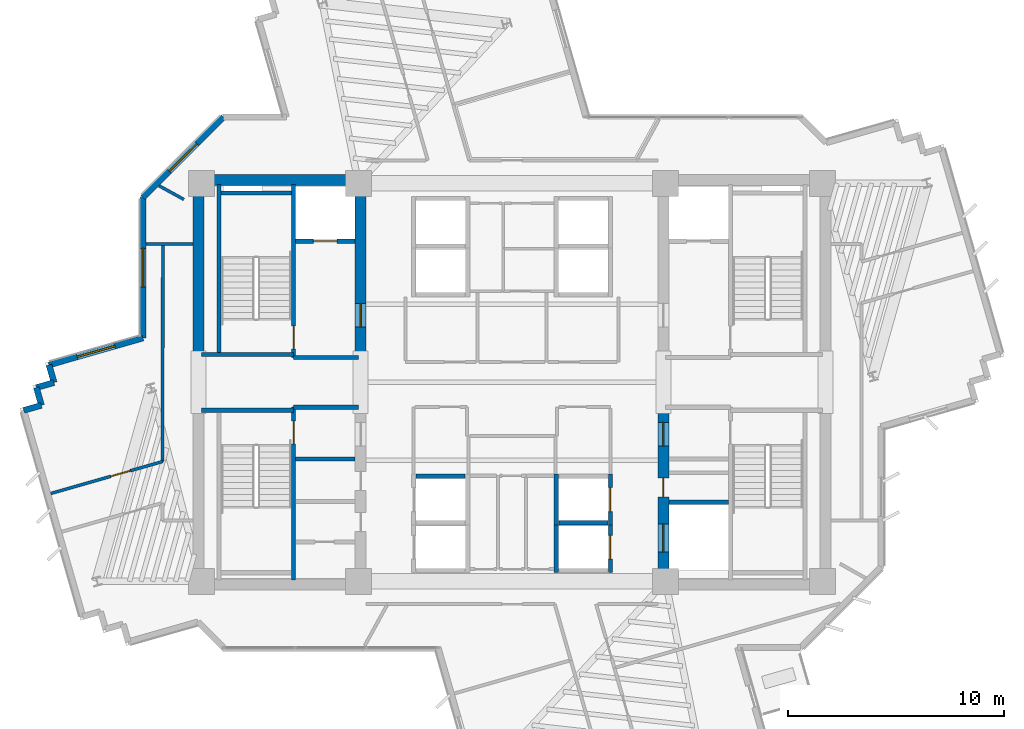
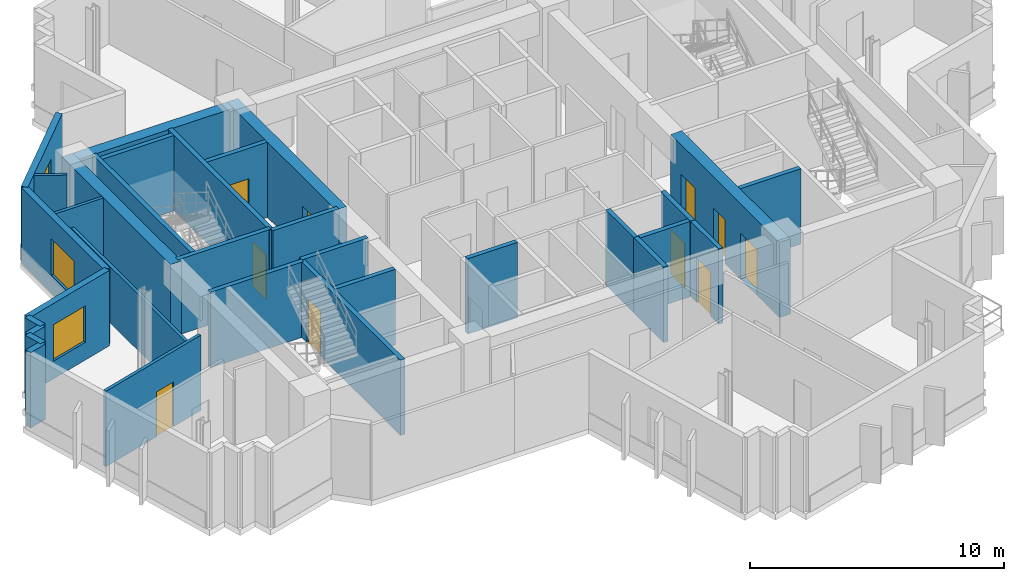
# One storey, part 6 of 14: 32 walls, 10 doors, 3 windows, 13 openings.
"""IFC4 building model written with IfcOpenShell, lengths in metres."""

from ifc_helpers import new_model, si_unit, direction, frame, frame_2d, origin, place, context, subcontext, project, spatial, rectangle, extrude, source, transform, mapped, material, layer, layer_set, type_object, element, fill, save


model = new_model("IFC4")

# Units and contexts
model_context = context("Model", 3, precision=1e-05, world=origin(), true_north=direction((0.0, 1.0)))
body_context = subcontext(model_context, "Body", "Model", "MODEL_VIEW")
ifc_project = project(units=[si_unit("LENGTHUNIT", "METRE"), si_unit("AREAUNIT", "SQUARE_METRE"), si_unit("VOLUMEUNIT", "CUBIC_METRE"), si_unit("PLANEANGLEUNIT", "RADIAN"), si_unit("MASSUNIT", "GRAM", prefix="KILO")], contexts=[model_context])

# Site, building, storey
site_placement = place(None, origin())
site = spatial("IfcSite", under=ifc_project, at=site_placement, CompositionType="ELEMENT")
building_placement = place(site_placement, origin())
building = spatial("IfcBuilding", under=site, at=building_placement, Name="Zahravan Cultural Tower", CompositionType="ELEMENT")
storey_placement = place(building_placement, frame((0.0, 0.0, 205.800048828125)))
storey = spatial("IfcBuildingStorey", under=building, at=storey_placement, Name="L48", CompositionType="ELEMENT", Elevation=205.800048828125)

# Wall, opening, door
ifc_material_1 = material(Name="Concrete C60/75", Category="concrete")
ifc_layer_1 = layer(ifc_material_1, 0.5)
ifc_layer_set_1 = layer_set([ifc_layer_1], Name="Concrete C60/75")
wall_type_1 = type_object("IfcWallType", Name="CW-SHEAR-500-C60", PredefinedType="SHEAR", material=ifc_layer_set_1)
wall_1_placement = place(storey_placement, frame((29.0, 28.050048828125, 0.0), z_axis=(0.0, 0.0, 1.0), x_axis=(0.0, 1.0, 0.0)))
wall_1 = element("IfcWall", 1, at=wall_1_placement, inside=storey, type_object=wall_type_1, Name="L48 Core Shear Wall CW-W-EN-L48", PredefinedType="SHEAR", context=body_context, shape_type="SweptSolid", body=[
    extrude(rectangle(XDim=8.550048828125, YDim=0.5, at=frame_2d((4.27490234375, 0.0))), origin(), (0.0, 0.0, 1.0), 3.619873046875),
])
opening_1_placement = place(wall_1_placement, frame((1.5, 0.0, 0.0)))
opening_1 = element("IfcOpeningElement", 2, at=opening_1_placement, cuts=wall_1, Name="Opening D-L48-05", PredefinedType="OPENING", context=body_context, shape_type="SweptSolid", body=[
    extrude(rectangle(XDim=1.10009765625, YDim=2.199951171875, at=frame_2d((0.550048828125, 1.10009765625))), frame((0.0, 0.260009765625, 0.0), z_axis=(0.0, -1.0, 0.0), x_axis=(1.0, 0.0, 0.0)), (0.0, 0.0, 1.0), 0.52001953125),
])
ifc_material_2 = material(Name="Steel ASTM A572 Grade 50", Category="steel")
door_type_1 = type_object("IfcDoorType", Name="DR-LOBBY-1100", OperationType="NOTDEFINED", PredefinedType="DOOR", material=ifc_material_2)
shared_shape_1 = source(origin(), body_context, "Body", "SweptSolid", [
    extrude(rectangle(XDim=1.10009765625, YDim=2.199951171875, at=frame_2d((0.550048828125, 1.10009765625))), frame((0.0, 0.02490234375, 0.0), z_axis=(0.0, -1.0, 0.0), x_axis=(1.0, 0.0, 0.0)), (0.0, 0.0, 1.0), 0.050048828125),
])
door_1_placement = place(opening_1_placement, origin())
door_1 = element("IfcDoor", 3, at=door_1_placement, inside=storey, type_object=door_type_1, Name="L48 Door D-L48-05", OperationType="SINGLE_SWING_RIGHT", OverallHeight=2.199951171875, OverallWidth=1.10009765625, PredefinedType="DOOR", context=body_context, shape_type="MappedRepresentation", body=[
    mapped(shared_shape_1, transform((0.0, 0.0, 0.0), x_axis=(1.0, 0.0, 0.0), y_axis=(0.0, 1.0, 0.0), z_axis=(0.0, 0.0, 1.0), scale=1.0)),
])
fill(opening_1, door_1)

# Wall, openings, doors
wall_2_placement = place(storey_placement, frame((43.0, 17.39990234375, 0.0), z_axis=(0.0, 0.0, 1.0), x_axis=(0.0, 1.0, 0.0)))
wall_2 = element("IfcWall", 4, at=wall_2_placement, inside=storey, type_object=wall_type_1, Name="L48 Core Shear Wall CW-E-WS-L48", PredefinedType="SHEAR", context=body_context, shape_type="SweptSolid", body=[
    extrude(rectangle(XDim=8.550048828125, YDim=0.5, at=frame_2d((4.27490234375, 0.0))), origin(), (0.0, 0.0, 1.0), 3.619873046875),
])
opening_2_placement = place(wall_2_placement, frame((6.64990234375, 0.0, 0.0)))
opening_2 = element("IfcOpeningElement", 5, at=opening_2_placement, cuts=wall_2, Name="Opening D-L48-08", PredefinedType="OPENING", context=body_context, shape_type="SweptSolid", body=[
    extrude(rectangle(XDim=1.10009765625, YDim=2.199951171875, at=frame_2d((0.550048828125, 1.10009765625))), frame((0.0, 0.260009765625, 0.0), z_axis=(0.0, -1.0, 0.0), x_axis=(1.0, 0.0, 0.0)), (0.0, 0.0, 1.0), 0.52001953125),
])
opening_3_placement = place(wall_2_placement, frame((1.75, 0.0, 0.0)))
opening_3 = element("IfcOpeningElement", 6, at=opening_3_placement, cuts=wall_2, Name="Opening LD-L48-03", PredefinedType="OPENING", context=body_context, shape_type="SweptSolid", body=[
    extrude(rectangle(XDim=1.300048828125, YDim=2.199951171875, at=frame_2d((0.64990234375, 1.10009765625))), frame((0.0, 0.260009765625, 0.0), z_axis=(0.0, -1.0, 0.0), x_axis=(1.0, 0.0, 0.0)), (0.0, 0.0, 1.0), 0.52001953125),
])
opening_4_placement = place(wall_2_placement, frame((4.300048828125, 0.0, 0.0)))
opening_4 = element("IfcOpeningElement", 7, at=opening_4_placement, cuts=wall_2, Name="Opening D-L48-12", PredefinedType="OPENING", context=body_context, shape_type="SweptSolid", body=[
    extrude(rectangle(XDim=0.8798828125, YDim=2.10009765625, at=frame_2d((0.43994140625, 1.050048828125))), frame((0.0, 0.260009765625, 0.0), z_axis=(0.0, -1.0, 0.0), x_axis=(1.0, 0.0, 0.0)), (0.0, 0.0, 1.0), 0.52001953125),
])
door_2_placement = place(opening_2_placement, origin())
door_2 = element("IfcDoor", 8, at=door_2_placement, inside=storey, type_object=door_type_1, Name="L48 Door D-L48-08", OperationType="SINGLE_SWING_LEFT", OverallHeight=2.199951171875, OverallWidth=1.10009765625, PredefinedType="DOOR", context=body_context, shape_type="MappedRepresentation", body=[
    mapped(shared_shape_1, transform((0.0, 0.0, 0.0), x_axis=(1.0, 0.0, 0.0), y_axis=(0.0, 1.0, 0.0), z_axis=(0.0, 0.0, 1.0), scale=1.0)),
])
fill(opening_2, door_2)
door_type_2 = type_object("IfcDoorType", Name="DR-LIFT-1300", OperationType="DOUBLE_DOOR_SLIDING", PredefinedType="DOOR", material=ifc_material_2)
shared_shape_2 = source(origin(), body_context, "Body", "SweptSolid", [
    extrude(rectangle(XDim=1.300048828125, YDim=2.199951171875, at=frame_2d((0.64990234375, 1.10009765625))), frame((0.0, 0.02490234375, 0.0), z_axis=(0.0, -1.0, 0.0), x_axis=(1.0, 0.0, 0.0)), (0.0, 0.0, 1.0), 0.050048828125),
])
door_3_placement = place(opening_3_placement, origin())
door_3 = element("IfcDoor", 9, at=door_3_placement, inside=storey, type_object=door_type_2, Name="L48 Door LD-L48-03", OperationType="DOUBLE_DOOR_SLIDING", OverallHeight=2.199951171875, OverallWidth=1.300048828125, PredefinedType="DOOR", context=body_context, shape_type="MappedRepresentation", body=[
    mapped(shared_shape_2, transform((0.0, 0.0, 0.0), x_axis=(1.0, 0.0, 0.0), y_axis=(0.0, 1.0, 0.0), z_axis=(0.0, 0.0, 1.0), scale=1.0)),
])
fill(opening_3, door_3)
door_type_3 = type_object("IfcDoorType", Name="DR-SVC-880", OperationType="NOTDEFINED", PredefinedType="DOOR", material=ifc_material_2)
shared_shape_3 = source(origin(), body_context, "Body", "SweptSolid", [
    extrude(rectangle(XDim=0.8798828125, YDim=2.10009765625, at=frame_2d((0.43994140625, 1.050048828125))), frame((0.0, 0.02490234375, 0.0), z_axis=(0.0, -1.0, 0.0), x_axis=(1.0, 0.0, 0.0)), (0.0, 0.0, 1.0), 0.050048828125),
])
door_4_placement = place(opening_4_placement, origin())
door_4 = element("IfcDoor", 10, at=door_4_placement, inside=storey, type_object=door_type_3, Name="L48 Door D-L48-12", OperationType="SINGLE_SWING_LEFT", OverallHeight=2.10009765625, OverallWidth=0.8798828125, PredefinedType="DOOR", context=body_context, shape_type="MappedRepresentation", body=[
    mapped(shared_shape_3, transform((0.0, 0.0, 0.0), x_axis=(1.0, 0.0, 0.0), y_axis=(0.0, 1.0, 0.0), z_axis=(0.0, 0.0, 1.0), scale=1.0)),
])
fill(opening_4, door_4)

# Wall, opening, window
ifc_material_3 = material(Name="Precast concrete C40/50", Category="concrete")
ifc_layer_2 = layer(ifc_material_3, 0.280029296875)
ifc_layer_set_2 = layer_set([ifc_layer_2], Name="Precast concrete C40/50")
wall_type_2 = type_object("IfcWallType", Name="EW-TC-280", PredefinedType="SOLIDWALL", material=ifc_layer_set_2)
wall_3_placement = place(storey_placement, frame((14.593505859375, 27.804931640625, 0.0), z_axis=(0.0, 0.0, 1.0), x_axis=(0.961446468673, 0.274992159663, 0.0)))
wall_3 = element("IfcWall", 11, at=wall_3_placement, inside=storey, type_object=wall_type_2, Name="L48 Exterior Masonry Frame Wall 37", PredefinedType="SOLIDWALL", context=body_context, shape_type="SweptSolid", body=[
    extrude(rectangle(XDim=4.520751953125, YDim=0.280029296875, at=frame_2d((2.26025390625, 0.0))), origin(), (0.0, 0.0, 1.0), 3.619873046875),
])
opening_5_placement = place(wall_3_placement, frame((1.360107421875, 0.0, 0.85009765625)))
opening_5 = element("IfcOpeningElement", 12, at=opening_5_placement, cuts=wall_3, Name="Opening WN-02", PredefinedType="OPENING", context=body_context, shape_type="SweptSolid", body=[
    extrude(rectangle(XDim=1.800048828125, YDim=1.75, at=frame_2d((0.89990234375, 0.875))), frame((0.0, 0.14990234375, 0.0), z_axis=(0.0, -1.0, 0.0), x_axis=(1.0, 0.0, 0.0)), (0.0, 0.0, 1.0), 0.300048828125),
])
ifc_material_4 = material(Name="Low-E solar-control double glazing", Category="glass")
window_type = type_object("IfcWindowType", Name="WN-REC-1800X1750", PartitioningType="DOUBLE_PANEL_VERTICAL", PredefinedType="WINDOW", material=ifc_material_4)
shared_shape_4 = source(origin(), body_context, "Body", "SweptSolid", [
    extrude(rectangle(XDim=1.800048828125, YDim=1.75, at=frame_2d((0.89990234375, 0.875))), frame((0.0, 0.030029296875, 0.0), z_axis=(0.0, -1.0, 0.0), x_axis=(1.0, 0.0, 0.0)), (0.0, 0.0, 1.0), 0.06005859375),
])
window_1_placement = place(opening_5_placement, origin())
window_1 = element("IfcWindow", 13, at=window_1_placement, inside=storey, type_object=window_type, Name="L48 Recessed Solar Window 04", OverallHeight=1.75, OverallWidth=1.800048828125, PartitioningType="DOUBLE_PANEL_VERTICAL", PredefinedType="WINDOW", context=body_context, shape_type="MappedRepresentation", body=[
    mapped(shared_shape_4, transform((0.0, 0.0, 0.0), x_axis=(1.0, 0.0, 0.0), y_axis=(0.0, 1.0, 0.0), z_axis=(0.0, 0.0, 1.0), scale=1.0)),
])
fill(opening_5, window_1)

wall_4_placement = place(storey_placement, frame((18.93994140625, 29.048095703125, 0.0), z_axis=(0.0, 0.0, 1.0), x_axis=(0.0, 1.0, 0.0)))
wall_4 = element("IfcWall", 14, at=wall_4_placement, inside=storey, type_object=wall_type_2, Name="L48 Exterior Masonry Frame Wall 38", PredefinedType="SOLIDWALL", context=body_context, shape_type="SweptSolid", body=[
    extrude(rectangle(XDim=6.493896484375, YDim=0.280029296875, at=frame_2d((3.2470703125, 0.0))), origin(), (0.0, 0.0, 1.0), 3.619873046875),
])
opening_6_placement = place(wall_4_placement, frame((2.346923828125, 0.0, 0.85009765625)))
opening_6 = element("IfcOpeningElement", 15, at=opening_6_placement, cuts=wall_4, Name="Opening WN-02", PredefinedType="OPENING", context=body_context, shape_type="SweptSolid", body=[
    extrude(rectangle(XDim=1.800048828125, YDim=1.75, at=frame_2d((0.89990234375, 0.875))), frame((0.0, 0.14990234375, 0.0), z_axis=(0.0, -1.0, 0.0), x_axis=(1.0, 0.0, 0.0)), (0.0, 0.0, 1.0), 0.300048828125),
])
window_2_placement = place(opening_6_placement, origin())
window_2 = element("IfcWindow", 16, at=window_2_placement, inside=storey, type_object=window_type, Name="L48 Recessed Solar Window 05", OverallHeight=1.75, OverallWidth=1.800048828125, PartitioningType="DOUBLE_PANEL_VERTICAL", PredefinedType="WINDOW", context=body_context, shape_type="MappedRepresentation", body=[
    mapped(shared_shape_4, transform((0.0, 0.0, 0.0), x_axis=(1.0, 0.0, 0.0), y_axis=(0.0, 1.0, 0.0), z_axis=(0.0, 0.0, 1.0), scale=1.0)),
])
fill(opening_6, window_2)

wall_5_placement = place(storey_placement, frame((18.93994140625, 35.5419921875, 0.0), z_axis=(0.0, 0.0, 1.0), x_axis=(0.707106781187, 0.707106781187, 0.0)))
wall_5 = element("IfcWall", 17, at=wall_5_placement, inside=storey, type_object=wall_type_2, Name="L48 Exterior Masonry Frame Wall 39", PredefinedType="SOLIDWALL", context=body_context, shape_type="SweptSolid", body=[
    extrude(rectangle(XDim=5.258056640625, YDim=0.280029296875, at=frame_2d((2.62890625, 0.0))), origin(), (0.0, 0.0, 1.0), 3.619873046875),
])
opening_7_placement = place(wall_5_placement, frame((1.72900390625, 0.0, 0.85009765625)))
opening_7 = element("IfcOpeningElement", 18, at=opening_7_placement, cuts=wall_5, Name="Opening WN-02", PredefinedType="OPENING", context=body_context, shape_type="SweptSolid", body=[
    extrude(rectangle(XDim=1.800048828125, YDim=1.75, at=frame_2d((0.89990234375, 0.875))), frame((0.0, 0.14990234375, 0.0), z_axis=(0.0, -1.0, 0.0), x_axis=(1.0, 0.0, 0.0)), (0.0, 0.0, 1.0), 0.300048828125),
])
window_3_placement = place(opening_7_placement, origin())
window_3 = element("IfcWindow", 19, at=window_3_placement, inside=storey, type_object=window_type, Name="L48 Recessed Solar Window 06", OverallHeight=1.75, OverallWidth=1.800048828125, PartitioningType="DOUBLE_PANEL_VERTICAL", PredefinedType="WINDOW", context=body_context, shape_type="MappedRepresentation", body=[
    mapped(shared_shape_4, transform((0.0, 0.0, 0.0), x_axis=(1.0, 0.0, 0.0), y_axis=(0.0, 1.0, 0.0), z_axis=(0.0, 0.0, 1.0), scale=1.0)),
])
fill(opening_7, window_3)

# Wall, opening, door
ifc_material_5 = material(Name="Gypsum plasterboard partition")
ifc_layer_3 = layer(ifc_material_5, 0.139892578125)
ifc_layer_set_3 = layer_set([ifc_layer_3], Name="Gypsum plasterboard partition")
wall_type_3 = type_object("IfcWallType", Name="W-PART-140", PredefinedType="PARTITIONING", material=ifc_layer_set_3)
wall_6_placement = place(storey_placement, frame((19.85009765625, 23.338134765625, 0.0), z_axis=(0.0, 0.0, 1.0), x_axis=(-0.961455430103, -0.274960826164, 0.0)))
wall_6 = element("IfcWall", 20, at=wall_6_placement, inside=storey, type_object=wall_type_3, Name="L48 Interior Wall 105", PredefinedType="PARTITIONING", context=body_context, shape_type="SweptSolid", body=[
    extrude(rectangle(XDim=5.380859375, YDim=0.139892578125, at=frame_2d((2.6904296875, 0.0))), origin(), (0.0, 0.0, 1.0), 3.619873046875),
])
opening_8_placement = place(wall_6_placement, frame((1.55078125, 0.0, 0.0)))
opening_8 = element("IfcOpeningElement", 21, at=opening_8_placement, cuts=wall_6, Name="Opening D-L48-28", PredefinedType="OPENING", context=body_context, shape_type="SweptSolid", body=[
    extrude(rectangle(XDim=0.949951171875, YDim=2.14990234375, at=frame_2d((0.47509765625, 1.074951171875))), frame((0.0, 0.079833984375, 0.0), z_axis=(0.0, -1.0, 0.0), x_axis=(1.0, 0.0, 0.0)), (0.0, 0.0, 1.0), 0.159912109375),
])
ifc_material_6 = material(Name="Anodised bronze-aluminium mullion", Category="aluminium")
door_type_4 = type_object("IfcDoorType", Name="DR-ROOM-950", OperationType="NOTDEFINED", PredefinedType="DOOR", material=ifc_material_6)
shared_shape_5 = source(origin(), body_context, "Body", "SweptSolid", [
    extrude(rectangle(XDim=0.949951171875, YDim=2.14990234375, at=frame_2d((0.47509765625, 1.074951171875))), frame((0.0, 0.02490234375, 0.0), z_axis=(0.0, -1.0, 0.0), x_axis=(1.0, 0.0, 0.0)), (0.0, 0.0, 1.0), 0.050048828125),
])
door_5_placement = place(opening_8_placement, origin())
door_5 = element("IfcDoor", 22, at=door_5_placement, inside=storey, type_object=door_type_4, Name="L48 Door D-L48-28", OperationType="SINGLE_SWING_LEFT", OverallHeight=2.14990234375, OverallWidth=0.949951171875, PredefinedType="DOOR", context=body_context, shape_type="MappedRepresentation", body=[
    mapped(shared_shape_5, transform((0.0, 0.0, 0.0), x_axis=(1.0, 0.0, 0.0), y_axis=(0.0, 1.0, 0.0), z_axis=(0.0, 0.0, 1.0), scale=1.0)),
])
fill(opening_8, door_5)

ifc_material_7 = material(Name="Concrete C45/55", Category="concrete")
ifc_layer_4 = layer(ifc_material_7, 0.199951171875)
ifc_layer_set_4 = layer_set([ifc_layer_4], Name="Concrete C45/55")
wall_type_4 = type_object("IfcWallType", Name="W-SHAFT-200", PredefinedType="SOLIDWALL", material=ifc_layer_set_4)
wall_7_placement = place(storey_placement, frame((25.89990234375, 17.85009765625, 0.0), z_axis=(0.0, 0.0, 1.0), x_axis=(0.0, 1.0, 0.0)))
wall_7 = element("IfcWall", 23, at=wall_7_placement, inside=storey, type_object=wall_type_4, Name="L48 Interior Wall 005", PredefinedType="SOLIDWALL", context=body_context, shape_type="SweptSolid", body=[
    extrude(rectangle(XDim=8.0, YDim=0.199951171875, at=frame_2d((4.0, 0.0))), origin(), (0.0, 0.0, 1.0), 3.619873046875),
])
opening_9_placement = place(wall_7_placement, frame((6.300048828125, 0.0, 0.0)))
opening_9 = element("IfcOpeningElement", 24, at=opening_9_placement, cuts=wall_7, Name="Opening D-L48-04", PredefinedType="OPENING", context=body_context, shape_type="SweptSolid", body=[
    extrude(rectangle(XDim=1.050048828125, YDim=2.14990234375, at=frame_2d((0.52490234375, 1.074951171875))), frame((0.0, 0.10986328125, 0.0), z_axis=(0.0, -1.0, 0.0), x_axis=(1.0, 0.0, 0.0)), (0.0, 0.0, 1.0), 0.219970703125),
])
door_type_5 = type_object("IfcDoorType", Name="DR-STAIR-1050", OperationType="NOTDEFINED", PredefinedType="DOOR", material=ifc_material_2)
shared_shape_6 = source(origin(), body_context, "Body", "SweptSolid", [
    extrude(rectangle(XDim=1.050048828125, YDim=2.14990234375, at=frame_2d((0.52490234375, 1.074951171875))), frame((0.0, 0.02490234375, 0.0), z_axis=(0.0, -1.0, 0.0), x_axis=(1.0, 0.0, 0.0)), (0.0, 0.0, 1.0), 0.050048828125),
])
door_6_placement = place(opening_9_placement, origin())
door_6 = element("IfcDoor", 25, at=door_6_placement, inside=storey, type_object=door_type_5, Name="L48 Door D-L48-04", OperationType="SINGLE_SWING_LEFT", OverallHeight=2.14990234375, OverallWidth=1.050048828125, PredefinedType="DOOR", context=body_context, shape_type="MappedRepresentation", body=[
    mapped(shared_shape_6, transform((0.0, 0.0, 0.0), x_axis=(1.0, 0.0, 0.0), y_axis=(0.0, 1.0, 0.0), z_axis=(0.0, 0.0, 1.0), scale=1.0)),
])
fill(opening_9, door_6)

wall_8_placement = place(storey_placement, frame((25.89990234375, 28.14990234375, 0.0), z_axis=(0.0, 0.0, 1.0), x_axis=(0.0, 1.0, 0.0)))
wall_8 = element("IfcWall", 26, at=wall_8_placement, inside=storey, type_object=wall_type_4, Name="L48 Interior Wall 006", PredefinedType="SOLIDWALL", context=body_context, shape_type="SweptSolid", body=[
    extrude(rectangle(XDim=8.0, YDim=0.199951171875, at=frame_2d((4.0, 0.0))), origin(), (0.0, 0.0, 1.0), 3.619873046875),
])
opening_10_placement = place(wall_8_placement, frame((0.39990234375, 0.0, 0.0)))
opening_10 = element("IfcOpeningElement", 27, at=opening_10_placement, cuts=wall_8, Name="Opening D-L48-01", PredefinedType="OPENING", context=body_context, shape_type="SweptSolid", body=[
    extrude(rectangle(XDim=1.050048828125, YDim=2.14990234375, at=frame_2d((0.52490234375, 1.074951171875))), frame((0.0, 0.10986328125, 0.0), z_axis=(0.0, -1.0, 0.0), x_axis=(1.0, 0.0, 0.0)), (0.0, 0.0, 1.0), 0.219970703125),
])
door_7_placement = place(opening_10_placement, origin())
door_7 = element("IfcDoor", 28, at=door_7_placement, inside=storey, type_object=door_type_5, Name="L48 Door D-L48-01", OperationType="SINGLE_SWING_RIGHT", OverallHeight=2.14990234375, OverallWidth=1.050048828125, PredefinedType="DOOR", context=body_context, shape_type="MappedRepresentation", body=[
    mapped(shared_shape_6, transform((0.0, 0.0, 0.0), x_axis=(1.0, 0.0, 0.0), y_axis=(0.0, 1.0, 0.0), z_axis=(0.0, 0.0, 1.0), scale=1.0)),
])
fill(opening_10, door_7)

wall_9_placement = place(storey_placement, frame((26.0, 33.52001953125, 0.0), z_axis=(0.0, 0.0, 1.0), x_axis=(1.0, 0.0, 0.0)))
wall_9 = element("IfcWall", 29, at=wall_9_placement, inside=storey, type_object=wall_type_4, Name="L48 Interior Wall 021", PredefinedType="SOLIDWALL", context=body_context, shape_type="SweptSolid", body=[
    extrude(rectangle(XDim=2.75, YDim=0.199951171875, at=frame_2d((1.375, 0.0))), origin(), (0.0, 0.0, 1.0), 3.619873046875),
])
opening_11_placement = place(wall_9_placement, frame((0.820068359375, 0.0, 0.0)))
opening_11 = element("IfcOpeningElement", 30, at=opening_11_placement, cuts=wall_9, Name="Opening LD-L48-01", PredefinedType="OPENING", context=body_context, shape_type="SweptSolid", body=[
    extrude(rectangle(XDim=1.10009765625, YDim=2.14990234375, at=frame_2d((0.550048828125, 1.074951171875))), frame((0.0, 0.10986328125, 0.0), z_axis=(0.0, -1.0, 0.0), x_axis=(1.0, 0.0, 0.0)), (0.0, 0.0, 1.0), 0.219970703125),
])
door_type_6 = type_object("IfcDoorType", Name="DR-LIFT-1100", OperationType="DOUBLE_DOOR_SLIDING", PredefinedType="DOOR", material=ifc_material_2)
shared_shape_7 = source(origin(), body_context, "Body", "SweptSolid", [
    extrude(rectangle(XDim=1.10009765625, YDim=2.14990234375, at=frame_2d((0.550048828125, 1.074951171875))), frame((0.0, 0.02490234375, 0.0), z_axis=(0.0, -1.0, 0.0), x_axis=(1.0, 0.0, 0.0)), (0.0, 0.0, 1.0), 0.050048828125),
])
door_8_placement = place(opening_11_placement, origin())
door_8 = element("IfcDoor", 31, at=door_8_placement, inside=storey, type_object=door_type_6, Name="L48 Door LD-L48-01", OperationType="DOUBLE_DOOR_SLIDING", OverallHeight=2.14990234375, OverallWidth=1.10009765625, PredefinedType="DOOR", context=body_context, shape_type="MappedRepresentation", body=[
    mapped(shared_shape_7, transform((0.0, 0.0, 0.0), x_axis=(1.0, 0.0, 0.0), y_axis=(0.0, 1.0, 0.0), z_axis=(0.0, 0.0, 1.0), scale=1.0)),
])
fill(opening_11, door_8)

wall_10_placement = place(storey_placement, frame((40.550048828125, 20.39990234375, 0.0), z_axis=(0.0, 0.0, 1.0), x_axis=(0.0, 1.0, 0.0)))
wall_10 = element("IfcWall", 32, at=wall_10_placement, inside=storey, type_object=wall_type_4, Name="L48 Interior Wall 051", PredefinedType="SOLIDWALL", context=body_context, shape_type="SweptSolid", body=[
    extrude(rectangle(XDim=2.35009765625, YDim=0.199951171875, at=frame_2d((1.175048828125, 0.0))), origin(), (0.0, 0.0, 1.0), 3.619873046875),
])
opening_12_placement = place(wall_10_placement, frame((0.625, 0.0, 0.0)))
opening_12 = element("IfcOpeningElement", 33, at=opening_12_placement, cuts=wall_10, Name="Opening LD-L48-06", PredefinedType="OPENING", context=body_context, shape_type="SweptSolid", body=[
    extrude(rectangle(XDim=1.10009765625, YDim=2.14990234375, at=frame_2d((0.550048828125, 1.074951171875))), frame((0.0, 0.10986328125, 0.0), z_axis=(0.0, -1.0, 0.0), x_axis=(1.0, 0.0, 0.0)), (0.0, 0.0, 1.0), 0.219970703125),
])
door_9_placement = place(opening_12_placement, origin())
door_9 = element("IfcDoor", 34, at=door_9_placement, inside=storey, type_object=door_type_6, Name="L48 Door LD-L48-06", OperationType="DOUBLE_DOOR_SLIDING", OverallHeight=2.14990234375, OverallWidth=1.10009765625, PredefinedType="DOOR", context=body_context, shape_type="MappedRepresentation", body=[
    mapped(shared_shape_7, transform((0.0, 0.0, 0.0), x_axis=(1.0, 0.0, 0.0), y_axis=(0.0, 1.0, 0.0), z_axis=(0.0, 0.0, 1.0), scale=1.0)),
])
fill(opening_12, door_9)

wall_11_placement = place(storey_placement, frame((40.550048828125, 18.199951171875, 0.0), z_axis=(0.0, 0.0, 1.0), x_axis=(0.0, 1.0, 0.0)))
wall_11 = element("IfcWall", 35, at=wall_11_placement, inside=storey, type_object=wall_type_4, Name="L48 Interior Wall 055", PredefinedType="SOLIDWALL", context=body_context, shape_type="SweptSolid", body=[
    extrude(rectangle(XDim=2.35009765625, YDim=0.199951171875, at=frame_2d((1.175048828125, 0.0))), origin(), (0.0, 0.0, 1.0), 3.619873046875),
])
opening_13_placement = place(wall_11_placement, frame((0.625, 0.0, 0.0)))
opening_13 = element("IfcOpeningElement", 36, at=opening_13_placement, cuts=wall_11, Name="Opening LD-L48-07", PredefinedType="OPENING", context=body_context, shape_type="SweptSolid", body=[
    extrude(rectangle(XDim=1.10009765625, YDim=2.14990234375, at=frame_2d((0.550048828125, 1.074951171875))), frame((0.0, 0.10986328125, 0.0), z_axis=(0.0, -1.0, 0.0), x_axis=(1.0, 0.0, 0.0)), (0.0, 0.0, 1.0), 0.219970703125),
])
door_10_placement = place(opening_13_placement, origin())
door_10 = element("IfcDoor", 37, at=door_10_placement, inside=storey, type_object=door_type_6, Name="L48 Door LD-L48-07", OperationType="DOUBLE_DOOR_SLIDING", OverallHeight=2.14990234375, OverallWidth=1.10009765625, PredefinedType="DOOR", context=body_context, shape_type="MappedRepresentation", body=[
    mapped(shared_shape_7, transform((0.0, 0.0, 0.0), x_axis=(1.0, 0.0, 0.0), y_axis=(0.0, 1.0, 0.0), z_axis=(0.0, 0.0, 1.0), scale=1.0)),
])
fill(opening_13, door_10)

# Walls
shared_shape_8 = source(origin(), body_context, "Body", "SweptSolid", [
    extrude(rectangle(XDim=8.550048828125, YDim=0.5, at=frame_2d((4.27490234375, 0.0))), origin(), (0.0, 0.0, 1.0), 3.619873046875),
])
wall_12_placement = place(storey_placement, frame((21.5, 28.050048828125, 0.0), z_axis=(0.0, 0.0, 1.0), x_axis=(0.0, 1.0, 0.0)))
element("IfcWall", 38, at=wall_12_placement, inside=storey, type_object=wall_type_1, Name="L48 Core Shear Wall CW-W-WN-L48", PredefinedType="SHEAR", context=body_context, shape_type="MappedRepresentation", body=[
    mapped(shared_shape_8, transform((0.0, 0.0, 0.0), x_axis=(1.0, 0.0, 0.0), y_axis=(0.0, 1.0, 0.0), z_axis=(0.0, 0.0, 1.0), scale=1.0)),
])
shared_shape_9 = source(origin(), body_context, "Body", "SweptSolid", [
    extrude(rectangle(XDim=7.0, YDim=0.5, at=frame_2d((3.5, 0.0))), origin(), (0.0, 0.0, 1.0), 3.619873046875),
])
wall_13_placement = place(storey_placement, frame((21.75, 36.35009765625, 0.0), z_axis=(0.0, 0.0, 1.0), x_axis=(1.0, 0.0, 0.0)))
element("IfcWall", 39, at=wall_13_placement, inside=storey, type_object=wall_type_1, Name="L48 Core Shear Wall CW-W-N-L48", PredefinedType="SHEAR", context=body_context, shape_type="MappedRepresentation", body=[
    mapped(shared_shape_9, transform((0.0, 0.0, 0.0), x_axis=(1.0, 0.0, 0.0), y_axis=(0.0, 1.0, 0.0), z_axis=(0.0, 0.0, 1.0), scale=1.0)),
])
shared_shape_10 = source(origin(), body_context, "Body", "SweptSolid", [
    extrude(rectangle(XDim=0.849853515625, YDim=0.280029296875, at=frame_2d((0.4248046875, 0.0))), origin(), (0.0, 0.0, 1.0), 3.619873046875),
])
for number, where, z_axis, x_axis, name in (
    (40, (13.426513671875, 25.703125, 0.0), (0.0, 0.0, 1.0), (0.961469728335, 0.274910824624, 0.0), "L48 Exterior Masonry Frame Wall 33"),
    (41, (14.24365234375, 25.936767578125, 0.0), (0.0, 0.0, 1.0), (-0.274910824624, 0.961469728335, 0.0), "L48 Exterior Masonry Frame Wall 34"),
    (42, (14.010009765625, 26.75390625, 0.0), (0.0, 0.0, 1.0), (0.961393768724, 0.275176346112, 0.0), "L48 Exterior Masonry Frame Wall 35"),
    (43, (14.8271484375, 26.98779296875, 0.0), (0.0, 0.0, 1.0), (-0.274910824624, 0.961469728335, 0.0), "L48 Exterior Masonry Frame Wall 36"),
):
    element("IfcWall", number, at=place(storey_placement, frame(where, z_axis=z_axis, x_axis=x_axis)), inside=storey, type_object=wall_type_2, Name=name, PredefinedType="SOLIDWALL", context=body_context, shape_type="MappedRepresentation", body=[
        mapped(shared_shape_10, transform((0.0, 0.0, 0.0), x_axis=(1.0, 0.0, 0.0), y_axis=(0.0, 1.0, 0.0), z_axis=(0.0, 0.0, 1.0), scale=1.0)),
    ])
shared_shape_11 = source(origin(), body_context, "Body", "SweptSolid", [
    extrude(rectangle(XDim=7.869873046875, YDim=0.199951171875, at=frame_2d((3.93505859375, 0.0))), origin(), (0.0, 0.0, 1.0), 3.619873046875),
])
wall_14_placement = place(storey_placement, frame((22.449951171875, 28.280029296875, 0.0), z_axis=(0.0, 0.0, 1.0), x_axis=(0.0, 1.0, 0.0)))
element("IfcWall", 44, at=wall_14_placement, inside=storey, type_object=wall_type_4, Name="L48 Interior Wall 002", PredefinedType="SOLIDWALL", context=body_context, shape_type="MappedRepresentation", body=[
    mapped(shared_shape_11, transform((0.0, 0.0, 0.0), x_axis=(1.0, 0.0, 0.0), y_axis=(0.0, 1.0, 0.0), z_axis=(0.0, 0.0, 1.0), scale=1.0)),
])
shared_shape_12 = source(origin(), body_context, "Body", "SweptSolid", [
    extrude(rectangle(XDim=4.25, YDim=0.199951171875, at=frame_2d((2.125, 0.0))), origin(), (0.0, 0.0, 1.0), 3.619873046875),
])
for number, where, z_axis, x_axis, name in (
    (45, (21.64990234375, 25.715087890625, 0.0), (0.0, 0.0, 1.0), (1.0, 0.0, 0.0), "L48 Interior Wall 009"),
    (46, (21.64990234375, 28.284912109375, 0.0), (0.0, 0.0, 1.0), (1.0, 0.0, 0.0), "L48 Interior Wall 011"),
):
    element("IfcWall", number, at=place(storey_placement, frame(where, z_axis=z_axis, x_axis=x_axis)), inside=storey, type_object=wall_type_4, Name=name, PredefinedType="SOLIDWALL", context=body_context, shape_type="MappedRepresentation", body=[
        mapped(shared_shape_12, transform((0.0, 0.0, 0.0), x_axis=(1.0, 0.0, 0.0), y_axis=(0.0, 1.0, 0.0), z_axis=(0.0, 0.0, 1.0), scale=1.0)),
    ])
shared_shape_13 = source(origin(), body_context, "Body", "SweptSolid", [
    extrude(rectangle(XDim=3.0, YDim=0.199951171875, at=frame_2d((1.5, 0.0))), origin(), (0.0, 0.0, 1.0), 3.619873046875),
])
for number, where, z_axis, x_axis, name in (
    (47, (25.89990234375, 25.85009765625, 0.0), (0.0, 0.0, 1.0), (1.0, 0.0, 0.0), "L48 Interior Wall 010"),
    (48, (25.89990234375, 28.14990234375, 0.0), (0.0, 0.0, 1.0), (1.0, 0.0, 0.0), "L48 Interior Wall 012"),
):
    element("IfcWall", number, at=place(storey_placement, frame(where, z_axis=z_axis, x_axis=x_axis)), inside=storey, type_object=wall_type_4, Name=name, PredefinedType="SOLIDWALL", context=body_context, shape_type="MappedRepresentation", body=[
        mapped(shared_shape_13, transform((0.0, 0.0, 0.0), x_axis=(1.0, 0.0, 0.0), y_axis=(0.0, 1.0, 0.0), z_axis=(0.0, 0.0, 1.0), scale=1.0)),
    ])
shared_shape_14 = source(origin(), body_context, "Body", "SweptSolid", [
    extrude(rectangle(XDim=3.25, YDim=0.199951171875, at=frame_2d((1.625, 0.0))), origin(), (0.0, 0.0, 1.0), 3.619873046875),
])
wall_15_placement = place(storey_placement, frame((22.550048828125, 35.75, 0.0), z_axis=(0.0, 0.0, 1.0), x_axis=(1.0, 0.0, 0.0)))
element("IfcWall", 49, at=wall_15_placement, inside=storey, type_object=wall_type_4, Name="L48 Interior Wall 017", PredefinedType="SOLIDWALL", context=body_context, shape_type="MappedRepresentation", body=[
    mapped(shared_shape_14, transform((0.0, 0.0, 0.0), x_axis=(1.0, 0.0, 0.0), y_axis=(0.0, 1.0, 0.0), z_axis=(0.0, 0.0, 1.0), scale=1.0)),
])
shared_shape_15 = source(origin(), body_context, "Body", "SweptSolid", [
    extrude(rectangle(XDim=2.75, YDim=0.199951171875, at=frame_2d((1.375, 0.0))), origin(), (0.0, 0.0, 1.0), 3.619873046875),
])
for number, where, z_axis, x_axis, name in (
    (50, (26.0, 23.449951171875, 0.0), (0.0, 0.0, 1.0), (1.0, 0.0, 0.0), "L48 Interior Wall 023"),
    (51, (43.25, 21.449951171875, 0.0), (0.0, 0.0, 1.0), (1.0, 0.0, 0.0), "L48 Interior Wall 025"),
):
    element("IfcWall", number, at=place(storey_placement, frame(where, z_axis=z_axis, x_axis=x_axis)), inside=storey, type_object=wall_type_4, Name=name, PredefinedType="SOLIDWALL", context=body_context, shape_type="MappedRepresentation", body=[
        mapped(shared_shape_15, transform((0.0, 0.0, 0.0), x_axis=(1.0, 0.0, 0.0), y_axis=(0.0, 1.0, 0.0), z_axis=(0.0, 0.0, 1.0), scale=1.0)),
    ])
shared_shape_16 = source(origin(), body_context, "Body", "SweptSolid", [
    extrude(rectangle(XDim=2.260009765625, YDim=0.199951171875, at=frame_2d((1.1298828125, 0.0))), origin(), (0.0, 0.0, 1.0), 3.619873046875),
])
for number, where, z_axis, x_axis, name in (
    (52, (31.570068359375, 22.64990234375, 0.0), (0.0, 0.0, 1.0), (1.0, 0.0, 0.0), "L48 Interior Wall 046"),
    (53, (38.169921875, 20.5, 0.0), (0.0, 0.0, 1.0), (1.0, 0.0, 0.0), "L48 Interior Wall 052"),
):
    element("IfcWall", number, at=place(storey_placement, frame(where, z_axis=z_axis, x_axis=x_axis)), inside=storey, type_object=wall_type_4, Name=name, PredefinedType="SOLIDWALL", context=body_context, shape_type="MappedRepresentation", body=[
        mapped(shared_shape_16, transform((0.0, 0.0, 0.0), x_axis=(1.0, 0.0, 0.0), y_axis=(0.0, 1.0, 0.0), z_axis=(0.0, 0.0, 1.0), scale=1.0)),
    ])
shared_shape_17 = source(origin(), body_context, "Body", "SweptSolid", [
    extrude(rectangle(XDim=2.35009765625, YDim=0.199951171875, at=frame_2d((1.175048828125, 0.0))), origin(), (0.0, 0.0, 1.0), 3.619873046875),
])
for number, where, z_axis, x_axis, name in (
    (54, (38.050048828125, 20.39990234375, 0.0), (0.0, 0.0, 1.0), (0.0, 1.0, 0.0), "L48 Interior Wall 050"),
    (55, (38.050048828125, 18.199951171875, 0.0), (0.0, 0.0, 1.0), (0.0, 1.0, 0.0), "L48 Interior Wall 054"),
):
    element("IfcWall", number, at=place(storey_placement, frame(where, z_axis=z_axis, x_axis=x_axis)), inside=storey, type_object=wall_type_4, Name=name, PredefinedType="SOLIDWALL", context=body_context, shape_type="MappedRepresentation", body=[
        mapped(shared_shape_17, transform((0.0, 0.0, 0.0), x_axis=(1.0, 0.0, 0.0), y_axis=(0.0, 1.0, 0.0), z_axis=(0.0, 0.0, 1.0), scale=1.0)),
    ])
shared_shape_18 = source(origin(), body_context, "Body", "SweptSolid", [
    extrude(rectangle(XDim=2.1650390625, YDim=0.139892578125, at=frame_2d((1.08251953125, 0.0))), origin(), (0.0, 0.0, 1.0), 3.619873046875),
])
wall_16_placement = place(storey_placement, frame((21.2451171875, 33.39990234375, 0.0), z_axis=(0.0, 0.0, 1.0), x_axis=(-0.999999942778, -0.000338294974, 0.0)))
element("IfcWall", 56, at=wall_16_placement, inside=storey, type_object=wall_type_3, Name="L48 Interior Wall 107", PredefinedType="PARTITIONING", context=body_context, shape_type="MappedRepresentation", body=[
    mapped(shared_shape_18, transform((0.0, 0.0, 0.0), x_axis=(1.0, 0.0, 0.0), y_axis=(0.0, 1.0, 0.0), z_axis=(0.0, 0.0, 1.0), scale=1.0)),
])
shared_shape_19 = source(origin(), body_context, "Body", "SweptSolid", [
    extrude(rectangle(XDim=10.061279296875, YDim=0.139892578125, at=frame_2d((5.03076171875, 0.0))), origin(), (0.0, 0.0, 1.0), 2.69287109375),
])
wall_17_placement = place(storey_placement, frame((19.853759765625, 33.3994140625, 0.0), z_axis=(0.0, 0.0, 1.0), x_axis=(-0.000363980467, -0.999999933759, 0.0)))
element("IfcWall", 57, at=wall_17_placement, inside=storey, type_object=wall_type_3, Name="L48 Interior Wall 104", PredefinedType="PARTITIONING", context=body_context, shape_type="MappedRepresentation", body=[
    mapped(shared_shape_19, transform((0.0, 0.0, 0.0), x_axis=(1.0, 0.0, 0.0), y_axis=(0.0, 1.0, 0.0), z_axis=(0.0, 0.0, 1.0), scale=1.0)),
])
shared_shape_20 = source(origin(), body_context, "Body", "SweptSolid", [
    extrude(rectangle(XDim=1.305419921875, YDim=0.139892578125, at=frame_2d((0.65283203125, 0.0))), origin(), (0.0, 0.0, 1.0), 3.619873046875),
])
wall_18_placement = place(storey_placement, frame((19.686279296875, 36.083251953125, 0.0), z_axis=(0.0, 0.0, 1.0), x_axis=(0.876117183384, -0.48209820678, 0.0)))
element("IfcWall", 58, at=wall_18_placement, inside=storey, type_object=wall_type_3, Name="L48 Interior Wall 106", PredefinedType="PARTITIONING", context=body_context, shape_type="MappedRepresentation", body=[
    mapped(shared_shape_20, transform((0.0, 0.0, 0.0), x_axis=(1.0, 0.0, 0.0), y_axis=(0.0, 1.0, 0.0), z_axis=(0.0, 0.0, 1.0), scale=1.0)),
])

save(model, "model.ifc")
